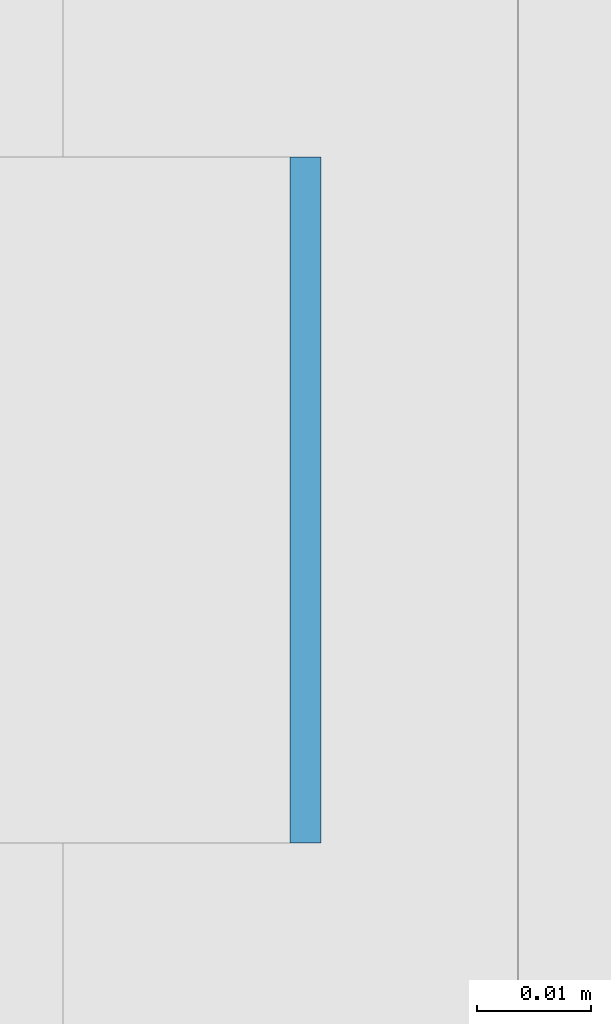
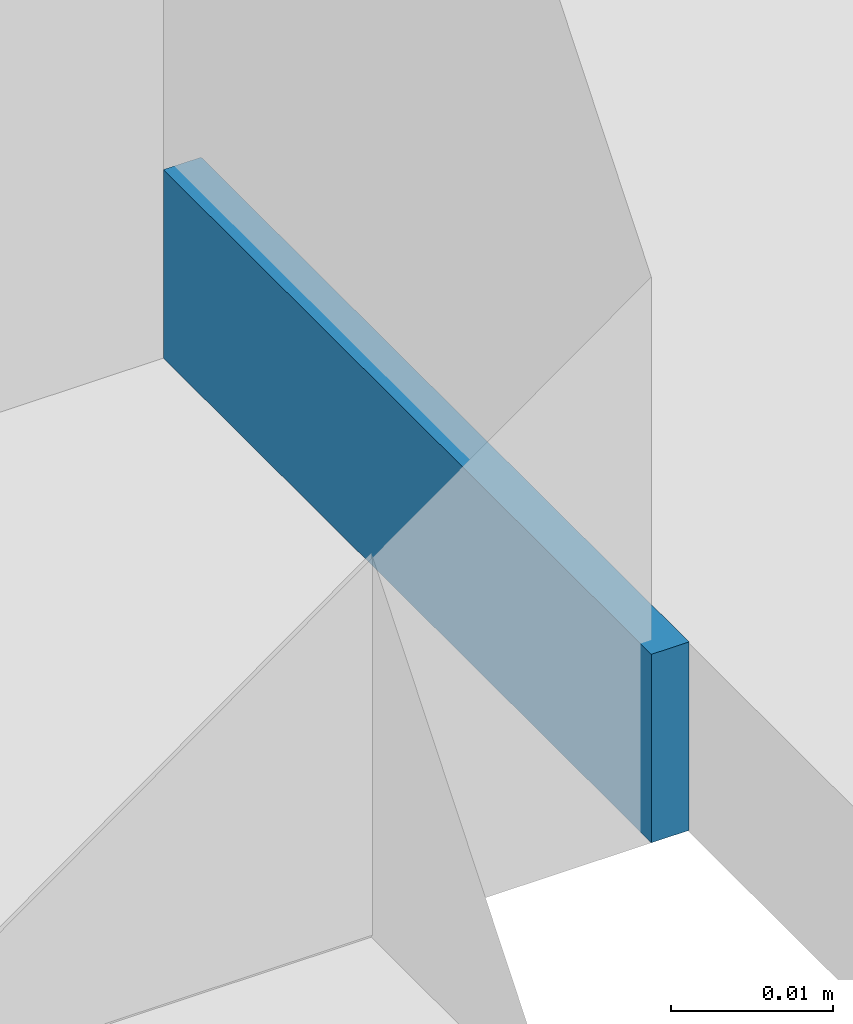
# One storey, part 326 of 646: 1 discrete accessory.
"""IFC4 building model written with IfcOpenShell, lengths in metres."""

from ifc_helpers import new_model, si_unit, direction, frame, origin, origin_2d, place, context, subcontext, project, spatial, rectangle, extrude, material, type_object, element, save


model = new_model("IFC4")

# Units and contexts
model_context = context("Model", 3, precision=1e-05, world=origin(), true_north=direction((0.0, 1.0)))
body_context = subcontext(model_context, "Body", "Model", "MODEL_VIEW")
ifc_project = project(units=[si_unit("LENGTHUNIT", "METRE"), si_unit("AREAUNIT", "SQUARE_METRE"), si_unit("VOLUMEUNIT", "CUBIC_METRE"), si_unit("PLANEANGLEUNIT", "RADIAN"), si_unit("MASSUNIT", "GRAM", prefix="KILO")], contexts=[model_context])

# Site, building, storey
site_placement = place(None, origin())
site = spatial("IfcSite", under=ifc_project, at=site_placement, CompositionType="ELEMENT")
building_placement = place(site_placement, origin())
building = spatial("IfcBuilding", under=site, at=building_placement, Name="Silverbay Arena", CompositionType="ELEMENT")
storey_placement = place(building_placement, frame((0.0, 0.0, 33.5)))
storey = spatial("IfcBuildingStorey", under=building, at=storey_placement, Name="L05", CompositionType="ELEMENT", Elevation=33.5)

# Discrete accessory
ifc_material = material(Name="Steel S355", Category="steel")
discrete_accessory_type = type_object("IfcDiscreteAccessoryType", Name="Steel bracket plate", PredefinedType="BRACKET", material=ifc_material)
discrete_accessory_placement = place(storey_placement, frame((53.871337890625, 77.142822265625, 4.0), z_axis=(0.0, 0.0, 1.0), x_axis=(1.0, 0.0, 0.0)))
element("IfcDiscreteAccessory", 1, at=discrete_accessory_placement, inside=storey, type_object=discrete_accessory_type, Name="Curtain wall packing plate", PredefinedType="BRACKET", context=body_context, shape_type="SweptSolid", body=[
    extrude(rectangle(XDim=0.002685546875, YDim=0.06005859375, at=origin_2d()), origin(), (0.0, 0.0, 1.0), 0.01416015625),
])

save(model, "model.ifc")
